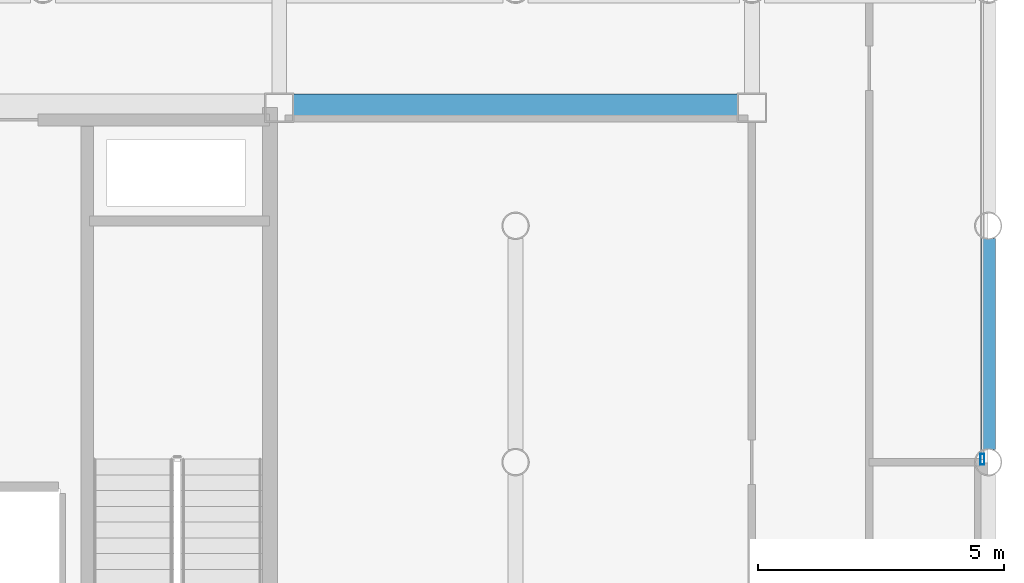
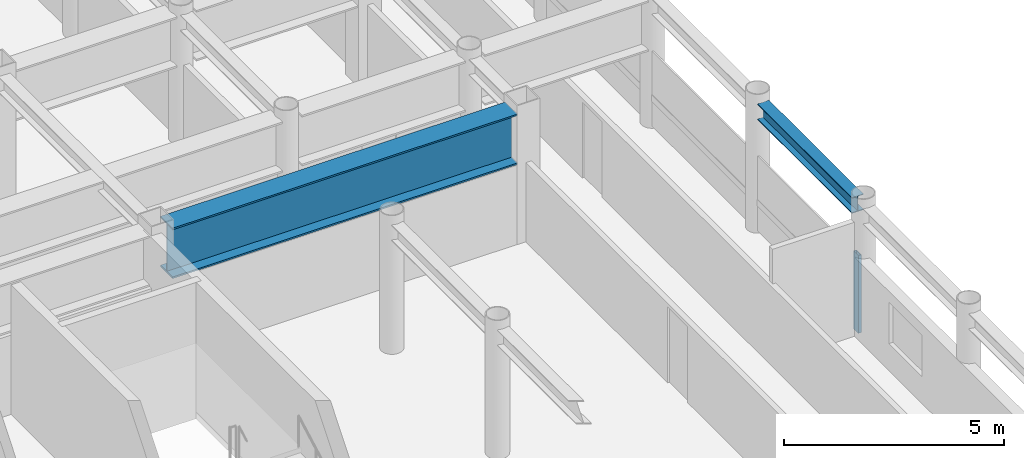
# One storey, part 10 of 21: 2 beams, 1 member, 1 element without a shape of its own.
"""IFC4 building model written with IfcOpenShell, lengths in metres."""

from ifc_helpers import new_model, si_unit, direction, frame, origin, origin_2d, place, context, subcontext, project, spatial, hollow_rectangle, i_section, extrude, material, layer, layer_set, material_profile, profile_set, type_object, element, aggregate, save


model = new_model("IFC4")

# Units and contexts
model_context = context("Model", 3, precision=1e-05, world=origin(), true_north=direction((0.0, 1.0)))
body_context = subcontext(model_context, "Body", "Model", "MODEL_VIEW")
ifc_project = project(units=[si_unit("LENGTHUNIT", "METRE"), si_unit("AREAUNIT", "SQUARE_METRE"), si_unit("VOLUMEUNIT", "CUBIC_METRE"), si_unit("PLANEANGLEUNIT", "RADIAN"), si_unit("MASSUNIT", "GRAM", prefix="KILO")], contexts=[model_context])

# Site, building, storey
site_placement = place(None, origin())
site = spatial("IfcSite", under=ifc_project, at=site_placement, CompositionType="ELEMENT")
building_placement = place(site_placement, origin())
building = spatial("IfcBuilding", under=site, at=building_placement, Name="Kallvorn Hotel Tower", CompositionType="ELEMENT")
storey_placement = place(building_placement, frame((0.0, 0.0, 272.35009765625)))
storey = spatial("IfcBuildingStorey", under=building, at=storey_placement, Name="L68", CompositionType="ELEMENT", Elevation=272.35009765625)

# Beams
ifc_material_1 = material(Name="Structural steel S355JR", Category="steel")
ifc_material_profile_1 = material_profile(ifc_material_1, i_section(OverallWidth=0.300048828125, OverallDepth=0.43994140625, WebThickness=0.011474609375, FlangeThickness=0.02099609375, at=origin_2d()), Name="HE 450 A")
ifc_profile_set_1 = profile_set([ifc_material_profile_1], Name="Structural steel S355JR")
beam_type_1 = type_object("IfcBeamType", Name="BM_HE450A", PredefinedType="BEAM", material=ifc_profile_set_1)
beam_1_placement = place(storey_placement, frame((28.800048828125, 0.25439453125, 3.3798828125), z_axis=(0.0, 1.0, 0.0), x_axis=(-1.0, 0.0, 0.0)))
element("IfcBeam", 1, at=beam_1_placement, inside=storey, type_object=beam_type_1, Name="L69 Primary Y-Girder 147", PredefinedType="BEAM", context=body_context, shape_type="SweptSolid", body=[
    extrude(i_section(OverallWidth=0.300048828125, OverallDepth=0.43994140625, WebThickness=0.011474609375, FlangeThickness=0.02099609375, at=origin_2d()), origin(), (0.0, 0.0, 1.0), 4.291015625),
])
ifc_material_2 = material(Name="Structural steel S355JR", Category="steel")
ifc_material_profile_2 = material_profile(ifc_material_2, i_section(OverallWidth=0.550048828125, OverallDepth=1.39990234375, WebThickness=0.02490234375, FlangeThickness=0.044921875, at=origin_2d()), Name="PG 1400x550x25x45")
ifc_profile_set_2 = profile_set([ifc_material_profile_2], Name="Structural steel S355JR")
beam_type_2 = type_object("IfcBeamType", Name="BM_PG_1400", PredefinedType="BEAM", material=ifc_profile_set_2)
beam_2_placement = place(storey_placement, frame((14.675048828125, 7.199951171875, 2.89990234375), z_axis=(1.0, 0.0, 0.0), x_axis=(0.0, 1.0, 0.0)))
element("IfcBeam", 2, at=beam_2_placement, inside=storey, type_object=beam_type_2, Name="L69 Primary X-Girder 40", PredefinedType="BEAM", context=body_context, shape_type="SweptSolid", body=[
    extrude(i_section(OverallWidth=0.550048828125, OverallDepth=1.39990234375, WebThickness=0.02490234375, FlangeThickness=0.044921875, at=origin_2d()), origin(), (0.0, 0.0, 1.0), 9.050048828125),
])

# Curtain wall, member
ifc_material_3 = material(Name="Thermally broken black-anodised aluminium AA 6063-T6", Category="aluminium")
ifc_layer = layer(ifc_material_3, 0.22998046875)
ifc_layer_set = layer_set([ifc_layer], Name="CW_SYS_5_HOTEL_HIGH")
curtain_wall_type = type_object("IfcCurtainWallType", Name="CW_SYS_5_HOTEL_HIGH", PredefinedType="USERDEFINED", material=ifc_layer_set)
curtain_wall_placement = place(storey_placement, origin())
curtain_wall = element("IfcCurtainWall", 3, at=curtain_wall_placement, inside=storey, type_object=curtain_wall_type, Name="L68 Dark-Glass Curtain Wall CW-L68-EN", ObjectType="UNITISED CURTAIN WALL", PredefinedType="USERDEFINED")
ifc_material_4 = material(Name="Thermally broken black-anodised aluminium AA 6063-T6", Category="aluminium")
ifc_material_profile_3 = material_profile(ifc_material_4, hollow_rectangle(XDim=0.080078125, YDim=0.219970703125, WallThickness=0.0048828125, at=origin_2d()), Name="MUL 220x80")
ifc_profile_set_3 = profile_set([ifc_material_profile_3], Name="Thermally broken black-anodised aluminium AA 6063-T6")
member_type = type_object("IfcMemberType", Name="CW_MULLION_220x80", PredefinedType="MULLION", material=ifc_profile_set_3)
member_placement = place(storey_placement, frame((28.679931640625, 0.06005859375, 0.02001953125), z_axis=(0.0, 0.0, 1.0), x_axis=(1.0, 0.0, 0.0)))
member = element("IfcMember", 4, at=member_placement, type_object=member_type, Name="CW-L68-EN Mullion 00", PredefinedType="MULLION", context=body_context, shape_type="SweptSolid", body=[
    extrude(hollow_rectangle(XDim=0.080078125, YDim=0.219970703125, WallThickness=0.0048828125, at=origin_2d()), origin(), (0.0, 0.0, 1.0), 2.159912109375),
])
aggregate(curtain_wall, [member])

save(model, "model.ifc")
